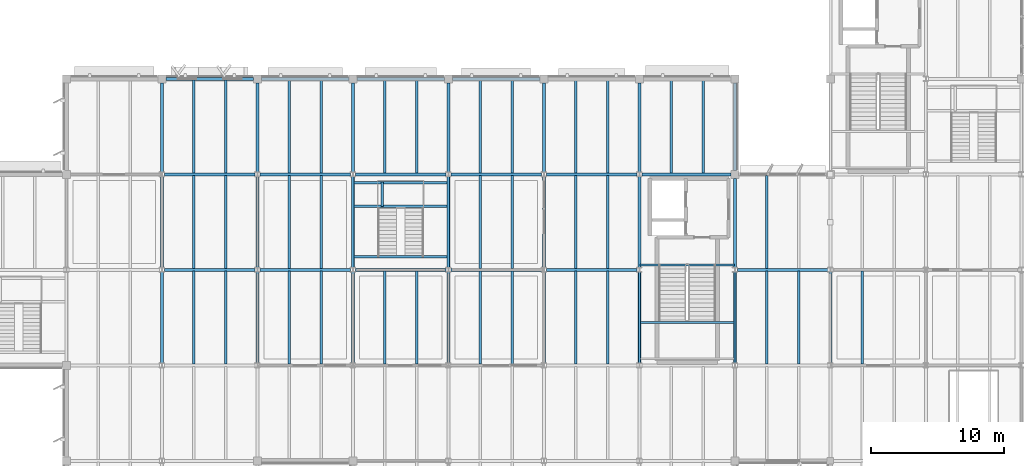
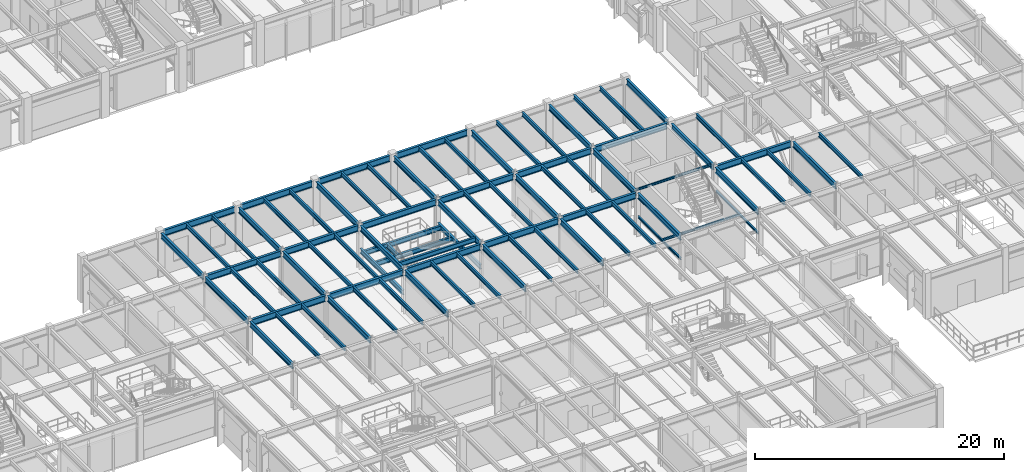
# One storey, part 19 of 92: 82 beams.
"""IFC4 building model written with IfcOpenShell, lengths in metres."""

from ifc_helpers import new_model, si_unit, direction, frame, origin, origin_2d, place, context, subcontext, project, spatial, i_section, extrude, material, material_profile, profile_set, type_object, element, save


model = new_model("IFC4")

# Units and contexts
model_context = context("Model", 3, precision=1e-05, world=origin(), true_north=direction((0.0, 1.0)))
body_context = subcontext(model_context, "Body", "Model", "MODEL_VIEW")
ifc_project = project(units=[si_unit("LENGTHUNIT", "METRE"), si_unit("AREAUNIT", "SQUARE_METRE"), si_unit("VOLUMEUNIT", "CUBIC_METRE"), si_unit("PLANEANGLEUNIT", "RADIAN"), si_unit("MASSUNIT", "GRAM", prefix="KILO")], contexts=[model_context])

# Site, building, storey
site_placement = place(None, origin())
site = spatial("IfcSite", under=ifc_project, at=site_placement, CompositionType="ELEMENT")
building_placement = place(site_placement, origin())
building = spatial("IfcBuilding", under=site, at=building_placement, Name="Sillqori Civic Hall", CompositionType="ELEMENT")
storey_placement = place(building_placement, frame((0.0, 0.0, 5.39990234375)))
storey = spatial("IfcBuildingStorey", under=building, at=storey_placement, Name="L02", CompositionType="ELEMENT", Elevation=5.39990234375)

# Beams
ifc_material = material(Name="Steel ASTM A992", Category="steel")
ifc_material_profile_1 = material_profile(ifc_material, i_section(OverallWidth=0.19091796875, OverallDepth=0.4599609375, WebThickness=0.010009765625, FlangeThickness=0.01611328125, FilletRadius=0.012939453125, at=origin_2d()), Name="W18X55")
ifc_profile_set_1 = profile_set([ifc_material_profile_1], Name="Steel ASTM A992")
beam_type_1 = type_object("IfcBeamType", Name="BM-W18X55", PredefinedType="BEAM", material=ifc_profile_set_1)
for number, where, z_axis, x_axis, name in (
    (1, (86.39990234375, 43.3779296875, 1.8251953125), (0.0, 1.0, 0.0), (-1.0, 0.0, 0.0), "Citizens Hall North Gallery Stair L02-L03 landing stringer girder W"),
    (2, (93.60009765625, 43.3779296875, 1.8251953125), (0.0, 1.0, 0.0), (-1.0, 0.0, 0.0), "Citizens Hall North Gallery Stair L02-L03 landing stringer girder E"),
):
    element("IfcBeam", number, at=place(storey_placement, frame(where, z_axis=z_axis, x_axis=x_axis)), inside=storey, type_object=beam_type_1, Name=name, PredefinedType="BEAM", context=body_context, shape_type="SweptSolid", body=[
        extrude(i_section(OverallWidth=0.19091796875, OverallDepth=0.4599609375, WebThickness=0.010009765625, FlangeThickness=0.01611328125, FilletRadius=0.012939453125, at=origin_2d()), origin(), (0.0, 0.0, 1.0), 6.843994140625),
    ])
for number, where, z_axis, x_axis, name in (
    (3, (86.43994140625, 47.989990234375, 1.8251953125), (1.0, 0.0, 0.0), (0.0, 1.0, 0.0), "Citizens Hall North Gallery Stair L02-L03 half-landing cross trimmer 1"),
    (4, (86.43994140625, 49.780029296875, 1.8251953125), (1.0, 0.0, 0.0), (0.0, 1.0, 0.0), "Citizens Hall North Gallery Stair L02-L03 half-landing cross trimmer 2"),
):
    element("IfcBeam", number, at=place(storey_placement, frame(where, z_axis=z_axis, x_axis=x_axis)), inside=storey, type_object=beam_type_1, Name=name, PredefinedType="BEAM", context=body_context, shape_type="SweptSolid", body=[
        extrude(i_section(OverallWidth=0.19091796875, OverallDepth=0.4599609375, WebThickness=0.010009765625, FlangeThickness=0.01611328125, FilletRadius=0.012939453125, at=origin_2d()), origin(), (0.0, 0.0, 1.0), 7.1201171875),
    ])
beam_1_placement = place(storey_placement, frame((88.60009765625, 47.9599609375, 1.8251953125), z_axis=(0.0, 1.0, 0.0), x_axis=(-1.0, 0.0, 0.0)))
element("IfcBeam", 5, at=beam_1_placement, inside=storey, type_object=beam_type_1, Name="Citizens Hall North Gallery Stair L02-L03 half-landing spine rib", PredefinedType="BEAM", context=body_context, shape_type="SweptSolid", body=[
    extrude(i_section(OverallWidth=0.19091796875, OverallDepth=0.4599609375, WebThickness=0.010009765625, FlangeThickness=0.01611328125, FilletRadius=0.012939453125, at=origin_2d()), origin(), (0.0, 0.0, 1.0), 1.85009765625),
])
beam_2_placement = place(storey_placement, frame((86.43994140625, 44.199951171875, 4.0751953125), z_axis=(1.0, 0.0, 0.0), x_axis=(0.0, 1.0, 0.0)))
element("IfcBeam", 6, at=beam_2_placement, inside=storey, type_object=beam_type_1, Name="Citizens Hall North Gallery Stair L02-L03 upper arrival trimmer beam", PredefinedType="BEAM", context=body_context, shape_type="SweptSolid", body=[
    extrude(i_section(OverallWidth=0.19091796875, OverallDepth=0.4599609375, WebThickness=0.010009765625, FlangeThickness=0.01611328125, FilletRadius=0.012939453125, at=origin_2d()), origin(), (0.0, 0.0, 1.0), 7.1201171875),
])
ifc_material_profile_2 = material_profile(ifc_material, i_section(OverallWidth=0.2099609375, OverallDepth=0.532958984375, WebThickness=0.01025390625, FlangeThickness=0.015625, FilletRadius=0.013916015625, at=origin_2d()), Name="W21X62")
ifc_profile_set_2 = profile_set([ifc_material_profile_2], Name="Steel ASTM A992")
beam_type_2 = type_object("IfcBeamType", Name="BM-W21X62", PredefinedType="BEAM", material=ifc_profile_set_2)
for number, where, z_axis, x_axis, name in (
    (7, (72.0, 36.177978515625, 4.03369140625), (0.0, 1.0, 0.0), (-1.0, 0.0, 0.0), "L02 girder Y 10-5"),
    (8, (72.0, 43.3779296875, 4.03369140625), (0.0, 1.0, 0.0), (-1.0, 0.0, 0.0), "L02 girder Y 10-6"),
):
    element("IfcBeam", number, at=place(storey_placement, frame(where, z_axis=z_axis, x_axis=x_axis)), inside=storey, type_object=beam_type_2, Name=name, PredefinedType="BEAM", context=body_context, shape_type="SweptSolid", body=[
        extrude(i_section(OverallWidth=0.2099609375, OverallDepth=0.532958984375, WebThickness=0.01025390625, FlangeThickness=0.015625, FilletRadius=0.013916015625, at=origin_2d()), origin(), (0.0, 0.0, 1.0), 6.843994140625),
    ])
beam_3_placement = place(storey_placement, frame((72.0, 50.577880859375, 4.03369140625), z_axis=(0.0, 1.0, 0.0), x_axis=(-1.0, 0.0, 0.0)))
element("IfcBeam", 9, at=beam_3_placement, inside=storey, type_object=beam_type_2, Name="L02 girder Y 10-7", PredefinedType="BEAM", context=body_context, shape_type="SweptSolid", body=[
    extrude(i_section(OverallWidth=0.2099609375, OverallDepth=0.532958984375, WebThickness=0.01025390625, FlangeThickness=0.015625, FilletRadius=0.013916015625, at=origin_2d()), origin(), (0.0, 0.0, 1.0), 6.72802734375),
])
for number, where, z_axis, x_axis, name in (
    (10, (79.199951171875, 36.177978515625, 4.03369140625), (0.0, 1.0, 0.0), (-1.0, 0.0, 0.0), "L02 girder Y 11-5"),
    (11, (79.199951171875, 43.3779296875, 4.03369140625), (0.0, 1.0, 0.0), (-1.0, 0.0, 0.0), "L02 girder Y 11-6"),
):
    element("IfcBeam", number, at=place(storey_placement, frame(where, z_axis=z_axis, x_axis=x_axis)), inside=storey, type_object=beam_type_2, Name=name, PredefinedType="BEAM", context=body_context, shape_type="SweptSolid", body=[
        extrude(i_section(OverallWidth=0.2099609375, OverallDepth=0.532958984375, WebThickness=0.01025390625, FlangeThickness=0.015625, FilletRadius=0.013916015625, at=origin_2d()), origin(), (0.0, 0.0, 1.0), 6.843994140625),
    ])
beam_4_placement = place(storey_placement, frame((79.199951171875, 50.577880859375, 4.03369140625), z_axis=(0.0, 1.0, 0.0), x_axis=(-1.0, 0.0, 0.0)))
element("IfcBeam", 12, at=beam_4_placement, inside=storey, type_object=beam_type_2, Name="L02 girder Y 11-7", PredefinedType="BEAM", context=body_context, shape_type="SweptSolid", body=[
    extrude(i_section(OverallWidth=0.2099609375, OverallDepth=0.532958984375, WebThickness=0.01025390625, FlangeThickness=0.015625, FilletRadius=0.013916015625, at=origin_2d()), origin(), (0.0, 0.0, 1.0), 6.72802734375),
])
for number, where, z_axis, x_axis, name in (
    (13, (86.39990234375, 36.177978515625, 4.03369140625), (0.0, 1.0, 0.0), (-1.0, 0.0, 0.0), "L02 girder Y 12-5"),
    (14, (86.39990234375, 43.3779296875, 4.03369140625), (0.0, 1.0, 0.0), (-1.0, 0.0, 0.0), "L02 girder Y 12-6"),
):
    element("IfcBeam", number, at=place(storey_placement, frame(where, z_axis=z_axis, x_axis=x_axis)), inside=storey, type_object=beam_type_2, Name=name, PredefinedType="BEAM", context=body_context, shape_type="SweptSolid", body=[
        extrude(i_section(OverallWidth=0.2099609375, OverallDepth=0.532958984375, WebThickness=0.01025390625, FlangeThickness=0.015625, FilletRadius=0.013916015625, at=origin_2d()), origin(), (0.0, 0.0, 1.0), 6.843994140625),
    ])
beam_5_placement = place(storey_placement, frame((86.39990234375, 50.577880859375, 4.03369140625), z_axis=(0.0, 1.0, 0.0), x_axis=(-1.0, 0.0, 0.0)))
element("IfcBeam", 15, at=beam_5_placement, inside=storey, type_object=beam_type_2, Name="L02 girder Y 12-7", PredefinedType="BEAM", context=body_context, shape_type="SweptSolid", body=[
    extrude(i_section(OverallWidth=0.2099609375, OverallDepth=0.532958984375, WebThickness=0.01025390625, FlangeThickness=0.015625, FilletRadius=0.013916015625, at=origin_2d()), origin(), (0.0, 0.0, 1.0), 6.72802734375),
])
for number, where, z_axis, x_axis, name in (
    (16, (93.60009765625, 36.177978515625, 4.03369140625), (0.0, 1.0, 0.0), (-1.0, 0.0, 0.0), "L02 girder Y 13-5"),
    (17, (93.60009765625, 43.3779296875, 4.03369140625), (0.0, 1.0, 0.0), (-1.0, 0.0, 0.0), "L02 girder Y 13-6"),
):
    element("IfcBeam", number, at=place(storey_placement, frame(where, z_axis=z_axis, x_axis=x_axis)), inside=storey, type_object=beam_type_2, Name=name, PredefinedType="BEAM", context=body_context, shape_type="SweptSolid", body=[
        extrude(i_section(OverallWidth=0.2099609375, OverallDepth=0.532958984375, WebThickness=0.01025390625, FlangeThickness=0.015625, FilletRadius=0.013916015625, at=origin_2d()), origin(), (0.0, 0.0, 1.0), 6.843994140625),
    ])
beam_6_placement = place(storey_placement, frame((93.60009765625, 50.577880859375, 4.03369140625), z_axis=(0.0, 1.0, 0.0), x_axis=(-1.0, 0.0, 0.0)))
element("IfcBeam", 18, at=beam_6_placement, inside=storey, type_object=beam_type_2, Name="L02 girder Y 13-7", PredefinedType="BEAM", context=body_context, shape_type="SweptSolid", body=[
    extrude(i_section(OverallWidth=0.2099609375, OverallDepth=0.532958984375, WebThickness=0.01025390625, FlangeThickness=0.015625, FilletRadius=0.013916015625, at=origin_2d()), origin(), (0.0, 0.0, 1.0), 6.72802734375),
])
for number, where, z_axis, x_axis, name in (
    (19, (100.800048828125, 36.177978515625, 4.03369140625), (0.0, 1.0, 0.0), (-1.0, 0.0, 0.0), "L02 girder Y 14-5"),
    (20, (100.800048828125, 43.3779296875, 4.03369140625), (0.0, 1.0, 0.0), (-1.0, 0.0, 0.0), "L02 girder Y 14-6"),
):
    element("IfcBeam", number, at=place(storey_placement, frame(where, z_axis=z_axis, x_axis=x_axis)), inside=storey, type_object=beam_type_2, Name=name, PredefinedType="BEAM", context=body_context, shape_type="SweptSolid", body=[
        extrude(i_section(OverallWidth=0.2099609375, OverallDepth=0.532958984375, WebThickness=0.01025390625, FlangeThickness=0.015625, FilletRadius=0.013916015625, at=origin_2d()), origin(), (0.0, 0.0, 1.0), 6.843994140625),
    ])
beam_7_placement = place(storey_placement, frame((100.800048828125, 50.577880859375, 4.03369140625), z_axis=(0.0, 1.0, 0.0), x_axis=(-1.0, 0.0, 0.0)))
element("IfcBeam", 21, at=beam_7_placement, inside=storey, type_object=beam_type_2, Name="L02 girder Y 14-7", PredefinedType="BEAM", context=body_context, shape_type="SweptSolid", body=[
    extrude(i_section(OverallWidth=0.2099609375, OverallDepth=0.532958984375, WebThickness=0.01025390625, FlangeThickness=0.015625, FilletRadius=0.013916015625, at=origin_2d()), origin(), (0.0, 0.0, 1.0), 6.72802734375),
])
for number, where, z_axis, x_axis, name in (
    (22, (108.0, 36.177978515625, 4.03369140625), (0.0, 1.0, 0.0), (-1.0, 0.0, 0.0), "L02 girder Y 15-5"),
    (23, (108.0, 43.3779296875, 4.03369140625), (0.0, 1.0, 0.0), (-1.0, 0.0, 0.0), "L02 girder Y 15-6"),
):
    element("IfcBeam", number, at=place(storey_placement, frame(where, z_axis=z_axis, x_axis=x_axis)), inside=storey, type_object=beam_type_2, Name=name, PredefinedType="BEAM", context=body_context, shape_type="SweptSolid", body=[
        extrude(i_section(OverallWidth=0.2099609375, OverallDepth=0.532958984375, WebThickness=0.01025390625, FlangeThickness=0.015625, FilletRadius=0.013916015625, at=origin_2d()), origin(), (0.0, 0.0, 1.0), 6.843994140625),
    ])
beam_8_placement = place(storey_placement, frame((108.0, 50.577880859375, 4.03369140625), z_axis=(0.0, 1.0, 0.0), x_axis=(-1.0, 0.0, 0.0)))
element("IfcBeam", 24, at=beam_8_placement, inside=storey, type_object=beam_type_2, Name="L02 girder Y 15-7", PredefinedType="BEAM", context=body_context, shape_type="SweptSolid", body=[
    extrude(i_section(OverallWidth=0.2099609375, OverallDepth=0.532958984375, WebThickness=0.01025390625, FlangeThickness=0.015625, FilletRadius=0.013916015625, at=origin_2d()), origin(), (0.0, 0.0, 1.0), 6.72802734375),
])
beam_9_placement = place(storey_placement, frame((115.199951171875, 36.177978515625, 4.03369140625), z_axis=(0.0, 1.0, 0.0), x_axis=(-1.0, 0.0, 0.0)))
element("IfcBeam", 25, at=beam_9_placement, inside=storey, type_object=beam_type_2, Name="L02 girder Y 16-5", PredefinedType="BEAM", context=body_context, shape_type="SweptSolid", body=[
    extrude(i_section(OverallWidth=0.2099609375, OverallDepth=0.532958984375, WebThickness=0.01025390625, FlangeThickness=0.015625, FilletRadius=0.013916015625, at=origin_2d()), origin(), (0.0, 0.0, 1.0), 6.843994140625),
])
beam_10_placement = place(storey_placement, frame((115.199951171875, 43.3779296875, 4.03369140625), z_axis=(0.0, 1.0, 0.0), x_axis=(-1.0, 0.0, 0.0)))
element("IfcBeam", 26, at=beam_10_placement, inside=storey, type_object=beam_type_2, Name="L02 girder Y 16-6", PredefinedType="BEAM", context=body_context, shape_type="SweptSolid", body=[
    extrude(i_section(OverallWidth=0.2099609375, OverallDepth=0.532958984375, WebThickness=0.01025390625, FlangeThickness=0.015625, FilletRadius=0.013916015625, at=origin_2d()), origin(), (0.0, 0.0, 1.0), 6.72802734375),
])
beam_11_placement = place(storey_placement, frame((115.199951171875, 50.694091796875, 4.03369140625), z_axis=(0.0, 1.0, 0.0), x_axis=(-1.0, 0.0, 0.0)))
element("IfcBeam", 27, at=beam_11_placement, inside=storey, type_object=beam_type_2, Name="L02 girder Y 16-7", PredefinedType="BEAM", context=body_context, shape_type="SweptSolid", body=[
    extrude(i_section(OverallWidth=0.2099609375, OverallDepth=0.532958984375, WebThickness=0.01025390625, FlangeThickness=0.015625, FilletRadius=0.013916015625, at=origin_2d()), origin(), (0.0, 0.0, 1.0), 6.61181640625),
])
beam_12_placement = place(storey_placement, frame((122.39990234375, 36.177978515625, 4.03369140625), z_axis=(0.0, 1.0, 0.0), x_axis=(-1.0, 0.0, 0.0)))
element("IfcBeam", 28, at=beam_12_placement, inside=storey, type_object=beam_type_2, Name="L02 girder Y 17-5", PredefinedType="BEAM", context=body_context, shape_type="SweptSolid", body=[
    extrude(i_section(OverallWidth=0.2099609375, OverallDepth=0.532958984375, WebThickness=0.01025390625, FlangeThickness=0.015625, FilletRadius=0.013916015625, at=origin_2d()), origin(), (0.0, 0.0, 1.0), 6.843994140625),
])
ifc_material_profile_3 = material_profile(ifc_material, i_section(OverallWidth=0.22802734375, OverallDepth=0.60205078125, WebThickness=0.010498046875, FlangeThickness=0.014892578125, FilletRadius=0.014892578125, at=origin_2d()), Name="W24X68")
ifc_profile_set_3 = profile_set([ifc_material_profile_3], Name="Steel ASTM A992")
beam_type_3 = type_object("IfcBeamType", Name="BM-W24X68", PredefinedType="BEAM", material=ifc_profile_set_3)
for number, where, z_axis, x_axis, name in (
    (29, (72.180419921875, 43.199951171875, 3.9990234375), (1.0, 0.0, 0.0), (0.0, 1.0, 0.0), "L02 girder X 10-6"),
    (30, (72.180419921875, 50.39990234375, 3.9990234375), (1.0, 0.0, 0.0), (0.0, 1.0, 0.0), "L02 girder X 10-7"),
):
    element("IfcBeam", number, at=place(storey_placement, frame(where, z_axis=z_axis, x_axis=x_axis)), inside=storey, type_object=beam_type_3, Name=name, PredefinedType="BEAM", context=body_context, shape_type="SweptSolid", body=[
        extrude(i_section(OverallWidth=0.22802734375, OverallDepth=0.60205078125, WebThickness=0.010498046875, FlangeThickness=0.014892578125, FilletRadius=0.014892578125, at=origin_2d()), origin(), (0.0, 0.0, 1.0), 6.839111328125),
    ])
beam_13_placement = place(storey_placement, frame((72.2939453125, 57.60009765625, 3.9990234375), z_axis=(1.0, 0.0, 0.0), x_axis=(0.0, 1.0, 0.0)))
element("IfcBeam", 31, at=beam_13_placement, inside=storey, type_object=beam_type_3, Name="L02 girder X 10-8", PredefinedType="BEAM", context=body_context, shape_type="SweptSolid", body=[
    extrude(i_section(OverallWidth=0.22802734375, OverallDepth=0.60205078125, WebThickness=0.010498046875, FlangeThickness=0.014892578125, FilletRadius=0.014892578125, at=origin_2d()), origin(), (0.0, 0.0, 1.0), 6.612060546875),
])
for number, where, z_axis, x_axis, name in (
    (32, (79.380615234375, 43.199951171875, 3.9990234375), (1.0, 0.0, 0.0), (0.0, 1.0, 0.0), "L02 girder X 11-6"),
    (33, (79.380615234375, 50.39990234375, 3.9990234375), (1.0, 0.0, 0.0), (0.0, 1.0, 0.0), "L02 girder X 11-7"),
):
    element("IfcBeam", number, at=place(storey_placement, frame(where, z_axis=z_axis, x_axis=x_axis)), inside=storey, type_object=beam_type_3, Name=name, PredefinedType="BEAM", context=body_context, shape_type="SweptSolid", body=[
        extrude(i_section(OverallWidth=0.22802734375, OverallDepth=0.60205078125, WebThickness=0.010498046875, FlangeThickness=0.014892578125, FilletRadius=0.014892578125, at=origin_2d()), origin(), (0.0, 0.0, 1.0), 6.8388671875),
    ])
beam_14_placement = place(storey_placement, frame((79.493896484375, 57.60009765625, 3.9990234375), z_axis=(1.0, 0.0, 0.0), x_axis=(0.0, 1.0, 0.0)))
element("IfcBeam", 34, at=beam_14_placement, inside=storey, type_object=beam_type_3, Name="L02 girder X 11-8", PredefinedType="BEAM", context=body_context, shape_type="SweptSolid", body=[
    extrude(i_section(OverallWidth=0.22802734375, OverallDepth=0.60205078125, WebThickness=0.010498046875, FlangeThickness=0.014892578125, FilletRadius=0.014892578125, at=origin_2d()), origin(), (0.0, 0.0, 1.0), 6.612060546875),
])
for number, where, z_axis, x_axis, name in (
    (35, (86.58056640625, 43.199951171875, 3.9990234375), (1.0, 0.0, 0.0), (0.0, 1.0, 0.0), "L02 girder X 12-6"),
    (36, (86.58056640625, 50.39990234375, 3.9990234375), (1.0, 0.0, 0.0), (0.0, 1.0, 0.0), "L02 girder X 12-7"),
):
    element("IfcBeam", number, at=place(storey_placement, frame(where, z_axis=z_axis, x_axis=x_axis)), inside=storey, type_object=beam_type_3, Name=name, PredefinedType="BEAM", context=body_context, shape_type="SweptSolid", body=[
        extrude(i_section(OverallWidth=0.22802734375, OverallDepth=0.60205078125, WebThickness=0.010498046875, FlangeThickness=0.014892578125, FilletRadius=0.014892578125, at=origin_2d()), origin(), (0.0, 0.0, 1.0), 6.8388671875),
    ])
beam_15_placement = place(storey_placement, frame((86.694091796875, 57.60009765625, 3.9990234375), z_axis=(1.0, 0.0, 0.0), x_axis=(0.0, 1.0, 0.0)))
element("IfcBeam", 37, at=beam_15_placement, inside=storey, type_object=beam_type_3, Name="L02 girder X 12-8", PredefinedType="BEAM", context=body_context, shape_type="SweptSolid", body=[
    extrude(i_section(OverallWidth=0.22802734375, OverallDepth=0.60205078125, WebThickness=0.010498046875, FlangeThickness=0.014892578125, FilletRadius=0.014892578125, at=origin_2d()), origin(), (0.0, 0.0, 1.0), 6.61181640625),
])
for number, where, z_axis, x_axis, name in (
    (38, (93.780517578125, 43.199951171875, 3.9990234375), (1.0, 0.0, 0.0), (0.0, 1.0, 0.0), "L02 girder X 13-6"),
    (39, (93.780517578125, 50.39990234375, 3.9990234375), (1.0, 0.0, 0.0), (0.0, 1.0, 0.0), "L02 girder X 13-7"),
):
    element("IfcBeam", number, at=place(storey_placement, frame(where, z_axis=z_axis, x_axis=x_axis)), inside=storey, type_object=beam_type_3, Name=name, PredefinedType="BEAM", context=body_context, shape_type="SweptSolid", body=[
        extrude(i_section(OverallWidth=0.22802734375, OverallDepth=0.60205078125, WebThickness=0.010498046875, FlangeThickness=0.014892578125, FilletRadius=0.014892578125, at=origin_2d()), origin(), (0.0, 0.0, 1.0), 6.8388671875),
    ])
beam_16_placement = place(storey_placement, frame((93.89404296875, 57.60009765625, 3.9990234375), z_axis=(1.0, 0.0, 0.0), x_axis=(0.0, 1.0, 0.0)))
element("IfcBeam", 40, at=beam_16_placement, inside=storey, type_object=beam_type_3, Name="L02 girder X 13-8", PredefinedType="BEAM", context=body_context, shape_type="SweptSolid", body=[
    extrude(i_section(OverallWidth=0.22802734375, OverallDepth=0.60205078125, WebThickness=0.010498046875, FlangeThickness=0.014892578125, FilletRadius=0.014892578125, at=origin_2d()), origin(), (0.0, 0.0, 1.0), 6.612060546875),
])
for number, where, z_axis, x_axis, name in (
    (41, (100.98046875, 43.199951171875, 3.9990234375), (1.0, 0.0, 0.0), (0.0, 1.0, 0.0), "L02 girder X 14-6"),
    (42, (100.98046875, 50.39990234375, 3.9990234375), (1.0, 0.0, 0.0), (0.0, 1.0, 0.0), "L02 girder X 14-7"),
):
    element("IfcBeam", number, at=place(storey_placement, frame(where, z_axis=z_axis, x_axis=x_axis)), inside=storey, type_object=beam_type_3, Name=name, PredefinedType="BEAM", context=body_context, shape_type="SweptSolid", body=[
        extrude(i_section(OverallWidth=0.22802734375, OverallDepth=0.60205078125, WebThickness=0.010498046875, FlangeThickness=0.014892578125, FilletRadius=0.014892578125, at=origin_2d()), origin(), (0.0, 0.0, 1.0), 6.839111328125),
    ])
beam_17_placement = place(storey_placement, frame((108.180419921875, 50.39990234375, 3.9990234375), z_axis=(1.0, 0.0, 0.0), x_axis=(0.0, 1.0, 0.0)))
element("IfcBeam", 43, at=beam_17_placement, inside=storey, type_object=beam_type_3, Name="L02 girder X 15-7", PredefinedType="BEAM", context=body_context, shape_type="SweptSolid", body=[
    extrude(i_section(OverallWidth=0.22802734375, OverallDepth=0.60205078125, WebThickness=0.010498046875, FlangeThickness=0.014892578125, FilletRadius=0.014892578125, at=origin_2d()), origin(), (0.0, 0.0, 1.0), 6.7255859375),
])
beam_18_placement = place(storey_placement, frame((115.380615234375, 43.199951171875, 3.9990234375), z_axis=(1.0, 0.0, 0.0), x_axis=(0.0, 1.0, 0.0)))
element("IfcBeam", 44, at=beam_18_placement, inside=storey, type_object=beam_type_3, Name="L02 girder X 16-6", PredefinedType="BEAM", context=body_context, shape_type="SweptSolid", body=[
    extrude(i_section(OverallWidth=0.22802734375, OverallDepth=0.60205078125, WebThickness=0.010498046875, FlangeThickness=0.014892578125, FilletRadius=0.014892578125, at=origin_2d()), origin(), (0.0, 0.0, 1.0), 6.8388671875),
])
ifc_material_profile_4 = material_profile(ifc_material, i_section(OverallWidth=0.177978515625, OverallDepth=0.404052734375, WebThickness=0.007568359375, FlangeThickness=0.010986328125, FilletRadius=0.011962890625, at=origin_2d()), Name="W16X36")
ifc_profile_set_4 = profile_set([ifc_material_profile_4], Name="Steel ASTM A992")
beam_type_4 = type_object("IfcBeamType", Name="JS-W16X36", PredefinedType="JOIST", material=ifc_profile_set_4)
for number, where, z_axis, x_axis, name in (
    (45, (74.39990234375, 36.094970703125, 4.09814453125), (0.0, 1.0, 0.0), (-1.0, 0.0, 0.0), "L02 composite joist 10-5.1"),
    (46, (76.800048828125, 36.094970703125, 4.09814453125), (0.0, 1.0, 0.0), (-1.0, 0.0, 0.0), "L02 composite joist 10-5.2"),
    (47, (74.39990234375, 43.294921875, 4.09814453125), (0.0, 1.0, 0.0), (-1.0, 0.0, 0.0), "L02 composite joist 10-6.1"),
    (48, (76.800048828125, 43.294921875, 4.09814453125), (0.0, 1.0, 0.0), (-1.0, 0.0, 0.0), "L02 composite joist 10-6.2"),
):
    element("IfcBeam", number, at=place(storey_placement, frame(where, z_axis=z_axis, x_axis=x_axis)), inside=storey, type_object=beam_type_4, Name=name, PredefinedType="JOIST", context=body_context, shape_type="SweptSolid", body=[
        extrude(i_section(OverallWidth=0.177978515625, OverallDepth=0.404052734375, WebThickness=0.007568359375, FlangeThickness=0.010986328125, FilletRadius=0.011962890625, at=origin_2d()), origin(), (0.0, 0.0, 1.0), 7.010009765625),
    ])
for number, where, z_axis, x_axis, name in (
    (49, (74.39990234375, 50.4951171875, 4.09814453125), (0.0, 1.0, 0.0), (-1.0, 0.0, 0.0), "L02 composite joist 10-7.1"),
    (50, (76.800048828125, 50.4951171875, 4.09814453125), (0.0, 1.0, 0.0), (-1.0, 0.0, 0.0), "L02 composite joist 10-7.2"),
):
    element("IfcBeam", number, at=place(storey_placement, frame(where, z_axis=z_axis, x_axis=x_axis)), inside=storey, type_object=beam_type_4, Name=name, PredefinedType="JOIST", context=body_context, shape_type="SweptSolid", body=[
        extrude(i_section(OverallWidth=0.177978515625, OverallDepth=0.404052734375, WebThickness=0.007568359375, FlangeThickness=0.010986328125, FilletRadius=0.011962890625, at=origin_2d()), origin(), (0.0, 0.0, 1.0), 7.009765625),
    ])
for number, where, z_axis, x_axis, name in (
    (51, (81.60009765625, 36.094970703125, 4.09814453125), (0.0, 1.0, 0.0), (-1.0, 0.0, 0.0), "L02 composite joist 11-5.1"),
    (52, (84.0, 36.094970703125, 4.09814453125), (0.0, 1.0, 0.0), (-1.0, 0.0, 0.0), "L02 composite joist 11-5.2"),
    (53, (81.60009765625, 43.294921875, 4.09814453125), (0.0, 1.0, 0.0), (-1.0, 0.0, 0.0), "L02 composite joist 11-6.1"),
    (54, (84.0, 43.294921875, 4.09814453125), (0.0, 1.0, 0.0), (-1.0, 0.0, 0.0), "L02 composite joist 11-6.2"),
):
    element("IfcBeam", number, at=place(storey_placement, frame(where, z_axis=z_axis, x_axis=x_axis)), inside=storey, type_object=beam_type_4, Name=name, PredefinedType="JOIST", context=body_context, shape_type="SweptSolid", body=[
        extrude(i_section(OverallWidth=0.177978515625, OverallDepth=0.404052734375, WebThickness=0.007568359375, FlangeThickness=0.010986328125, FilletRadius=0.011962890625, at=origin_2d()), origin(), (0.0, 0.0, 1.0), 7.010009765625),
    ])
for number, where, z_axis, x_axis, name in (
    (55, (81.60009765625, 50.4951171875, 4.09814453125), (0.0, 1.0, 0.0), (-1.0, 0.0, 0.0), "L02 composite joist 11-7.1"),
    (56, (84.0, 50.4951171875, 4.09814453125), (0.0, 1.0, 0.0), (-1.0, 0.0, 0.0), "L02 composite joist 11-7.2"),
):
    element("IfcBeam", number, at=place(storey_placement, frame(where, z_axis=z_axis, x_axis=x_axis)), inside=storey, type_object=beam_type_4, Name=name, PredefinedType="JOIST", context=body_context, shape_type="SweptSolid", body=[
        extrude(i_section(OverallWidth=0.177978515625, OverallDepth=0.404052734375, WebThickness=0.007568359375, FlangeThickness=0.010986328125, FilletRadius=0.011962890625, at=origin_2d()), origin(), (0.0, 0.0, 1.0), 7.009765625),
    ])
for number, where, z_axis, x_axis, name in (
    (57, (88.800048828125, 36.094970703125, 4.09814453125), (0.0, 1.0, 0.0), (-1.0, 0.0, 0.0), "L02 composite joist 12-5.1"),
    (58, (91.199951171875, 36.094970703125, 4.09814453125), (0.0, 1.0, 0.0), (-1.0, 0.0, 0.0), "L02 composite joist 12-5.2"),
):
    element("IfcBeam", number, at=place(storey_placement, frame(where, z_axis=z_axis, x_axis=x_axis)), inside=storey, type_object=beam_type_4, Name=name, PredefinedType="JOIST", context=body_context, shape_type="SweptSolid", body=[
        extrude(i_section(OverallWidth=0.177978515625, OverallDepth=0.404052734375, WebThickness=0.007568359375, FlangeThickness=0.010986328125, FilletRadius=0.011962890625, at=origin_2d()), origin(), (0.0, 0.0, 1.0), 7.010009765625),
    ])
for number, where, z_axis, x_axis, name in (
    (59, (88.800048828125, 50.4951171875, 4.09814453125), (0.0, 1.0, 0.0), (-1.0, 0.0, 0.0), "L02 composite joist 12-7.1"),
    (60, (91.199951171875, 50.4951171875, 4.09814453125), (0.0, 1.0, 0.0), (-1.0, 0.0, 0.0), "L02 composite joist 12-7.2"),
):
    element("IfcBeam", number, at=place(storey_placement, frame(where, z_axis=z_axis, x_axis=x_axis)), inside=storey, type_object=beam_type_4, Name=name, PredefinedType="JOIST", context=body_context, shape_type="SweptSolid", body=[
        extrude(i_section(OverallWidth=0.177978515625, OverallDepth=0.404052734375, WebThickness=0.007568359375, FlangeThickness=0.010986328125, FilletRadius=0.011962890625, at=origin_2d()), origin(), (0.0, 0.0, 1.0), 7.009765625),
    ])
for number, where, z_axis, x_axis, name in (
    (61, (96.0, 36.094970703125, 4.09814453125), (0.0, 1.0, 0.0), (-1.0, 0.0, 0.0), "L02 composite joist 13-5.1"),
    (62, (98.39990234375, 36.094970703125, 4.09814453125), (0.0, 1.0, 0.0), (-1.0, 0.0, 0.0), "L02 composite joist 13-5.2"),
    (63, (96.0, 43.294921875, 4.09814453125), (0.0, 1.0, 0.0), (-1.0, 0.0, 0.0), "L02 composite joist 13-6.1"),
    (64, (98.39990234375, 43.294921875, 4.09814453125), (0.0, 1.0, 0.0), (-1.0, 0.0, 0.0), "L02 composite joist 13-6.2"),
):
    element("IfcBeam", number, at=place(storey_placement, frame(where, z_axis=z_axis, x_axis=x_axis)), inside=storey, type_object=beam_type_4, Name=name, PredefinedType="JOIST", context=body_context, shape_type="SweptSolid", body=[
        extrude(i_section(OverallWidth=0.177978515625, OverallDepth=0.404052734375, WebThickness=0.007568359375, FlangeThickness=0.010986328125, FilletRadius=0.011962890625, at=origin_2d()), origin(), (0.0, 0.0, 1.0), 7.010009765625),
    ])
for number, where, z_axis, x_axis, name in (
    (65, (96.0, 50.4951171875, 4.09814453125), (0.0, 1.0, 0.0), (-1.0, 0.0, 0.0), "L02 composite joist 13-7.1"),
    (66, (98.39990234375, 50.4951171875, 4.09814453125), (0.0, 1.0, 0.0), (-1.0, 0.0, 0.0), "L02 composite joist 13-7.2"),
):
    element("IfcBeam", number, at=place(storey_placement, frame(where, z_axis=z_axis, x_axis=x_axis)), inside=storey, type_object=beam_type_4, Name=name, PredefinedType="JOIST", context=body_context, shape_type="SweptSolid", body=[
        extrude(i_section(OverallWidth=0.177978515625, OverallDepth=0.404052734375, WebThickness=0.007568359375, FlangeThickness=0.010986328125, FilletRadius=0.011962890625, at=origin_2d()), origin(), (0.0, 0.0, 1.0), 7.009765625),
    ])
for number, where, z_axis, x_axis, name in (
    (67, (103.199951171875, 36.094970703125, 4.09814453125), (0.0, 1.0, 0.0), (-1.0, 0.0, 0.0), "L02 composite joist 14-5.1"),
    (68, (105.60009765625, 36.094970703125, 4.09814453125), (0.0, 1.0, 0.0), (-1.0, 0.0, 0.0), "L02 composite joist 14-5.2"),
    (69, (103.199951171875, 43.294921875, 4.09814453125), (0.0, 1.0, 0.0), (-1.0, 0.0, 0.0), "L02 composite joist 14-6.1"),
    (70, (105.60009765625, 43.294921875, 4.09814453125), (0.0, 1.0, 0.0), (-1.0, 0.0, 0.0), "L02 composite joist 14-6.2"),
):
    element("IfcBeam", number, at=place(storey_placement, frame(where, z_axis=z_axis, x_axis=x_axis)), inside=storey, type_object=beam_type_4, Name=name, PredefinedType="JOIST", context=body_context, shape_type="SweptSolid", body=[
        extrude(i_section(OverallWidth=0.177978515625, OverallDepth=0.404052734375, WebThickness=0.007568359375, FlangeThickness=0.010986328125, FilletRadius=0.011962890625, at=origin_2d()), origin(), (0.0, 0.0, 1.0), 7.010009765625),
    ])
for number, where, z_axis, x_axis, name in (
    (71, (103.199951171875, 50.4951171875, 4.09814453125), (0.0, 1.0, 0.0), (-1.0, 0.0, 0.0), "L02 composite joist 14-7.1"),
    (72, (105.60009765625, 50.4951171875, 4.09814453125), (0.0, 1.0, 0.0), (-1.0, 0.0, 0.0), "L02 composite joist 14-7.2"),
    (73, (110.39990234375, 50.4951171875, 4.09814453125), (0.0, 1.0, 0.0), (-1.0, 0.0, 0.0), "L02 composite joist 15-7.1"),
    (74, (112.800048828125, 50.4951171875, 4.09814453125), (0.0, 1.0, 0.0), (-1.0, 0.0, 0.0), "L02 composite joist 15-7.2"),
):
    element("IfcBeam", number, at=place(storey_placement, frame(where, z_axis=z_axis, x_axis=x_axis)), inside=storey, type_object=beam_type_4, Name=name, PredefinedType="JOIST", context=body_context, shape_type="SweptSolid", body=[
        extrude(i_section(OverallWidth=0.177978515625, OverallDepth=0.404052734375, WebThickness=0.007568359375, FlangeThickness=0.010986328125, FilletRadius=0.011962890625, at=origin_2d()), origin(), (0.0, 0.0, 1.0), 7.009765625),
    ])
for number, where, z_axis, x_axis, name in (
    (75, (117.60009765625, 36.094970703125, 4.09814453125), (0.0, 1.0, 0.0), (-1.0, 0.0, 0.0), "L02 composite joist 16-5.1"),
    (76, (120.0, 36.094970703125, 4.09814453125), (0.0, 1.0, 0.0), (-1.0, 0.0, 0.0), "L02 composite joist 16-5.2"),
    (77, (117.60009765625, 43.294921875, 4.09814453125), (0.0, 1.0, 0.0), (-1.0, 0.0, 0.0), "L02 composite joist 16-6.1"),
    (78, (124.800048828125, 36.094970703125, 4.09814453125), (0.0, 1.0, 0.0), (-1.0, 0.0, 0.0), "L02 composite joist 17-5.1"),
):
    element("IfcBeam", number, at=place(storey_placement, frame(where, z_axis=z_axis, x_axis=x_axis)), inside=storey, type_object=beam_type_4, Name=name, PredefinedType="JOIST", context=body_context, shape_type="SweptSolid", body=[
        extrude(i_section(OverallWidth=0.177978515625, OverallDepth=0.404052734375, WebThickness=0.007568359375, FlangeThickness=0.010986328125, FilletRadius=0.011962890625, at=origin_2d()), origin(), (0.0, 0.0, 1.0), 7.010009765625),
    ])
ifc_material_profile_5 = material_profile(ifc_material, i_section(OverallWidth=0.133056640625, OverallDepth=0.20703125, WebThickness=0.005859375, FlangeThickness=0.00830078125, FilletRadius=0.008056640625, at=origin_2d()), Name="W8X18")
ifc_profile_set_5 = profile_set([ifc_material_profile_5], Name="Steel ASTM A992")
beam_type_5 = type_object("IfcBeamType", Name="LN-W8X18", PredefinedType="LINTEL", material=ifc_profile_set_5)
for number, where, z_axis, x_axis, name in (
    (79, (108.0, 36.177978515625, 1.9326171875), (0.0, 1.0, 0.0), (-1.0, 0.0, 0.0), "L02 grid 15 stair landing stringer 1"),
    (80, (115.199951171875, 36.177978515625, 1.9326171875), (0.0, 1.0, 0.0), (-1.0, 0.0, 0.0), "L02 grid 16 stair landing stringer 1"),
):
    element("IfcBeam", number, at=place(storey_placement, frame(where, z_axis=z_axis, x_axis=x_axis)), inside=storey, type_object=beam_type_5, Name=name, PredefinedType="LINTEL", context=body_context, shape_type="SweptSolid", body=[
        extrude(i_section(OverallWidth=0.133056640625, OverallDepth=0.20703125, WebThickness=0.005859375, FlangeThickness=0.00830078125, FilletRadius=0.008056640625, at=origin_2d()), origin(), (0.0, 0.0, 1.0), 6.843994140625),
    ])
for number, where, z_axis, x_axis, name in (
    (81, (108.050048828125, 39.22998046875, 1.9326171875), (1.0, 0.0, 0.0), (0.0, 1.0, 0.0), "L02 C3 stair half-landing steel ledger 1.2"),
    (82, (108.050048828125, 43.570068359375, 4.20263671875), (1.0, 0.0, 0.0), (0.0, 1.0, 0.0), "L02 C3 stair upper arrival steel trimmer"),
):
    element("IfcBeam", number, at=place(storey_placement, frame(where, z_axis=z_axis, x_axis=x_axis)), inside=storey, type_object=beam_type_5, Name=name, PredefinedType="LINTEL", context=body_context, shape_type="SweptSolid", body=[
        extrude(i_section(OverallWidth=0.133056640625, OverallDepth=0.20703125, WebThickness=0.005859375, FlangeThickness=0.00830078125, FilletRadius=0.008056640625, at=origin_2d()), origin(), (0.0, 0.0, 1.0), 7.099853515625),
    ])

save(model, "model.ifc")
